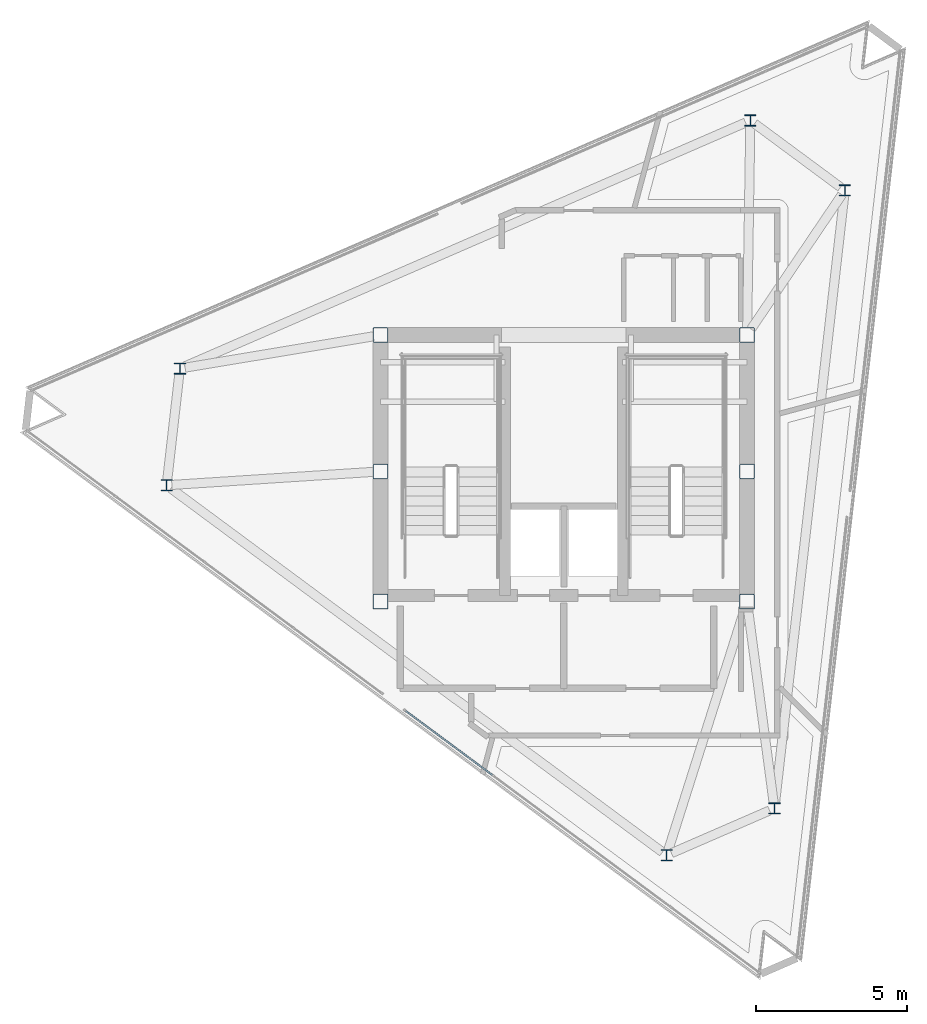
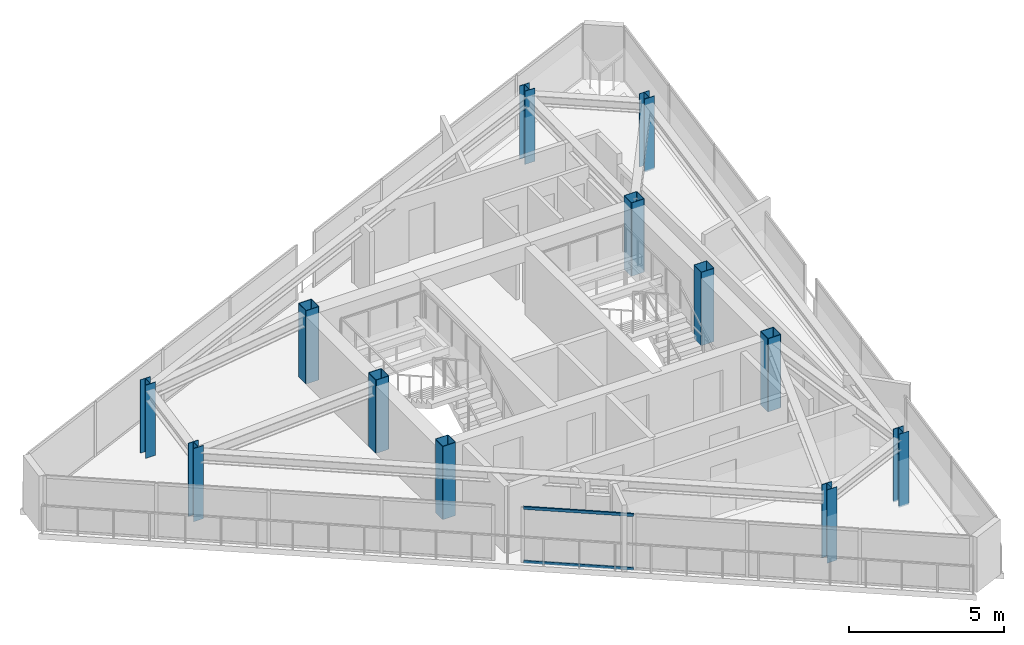
# One storey, part 1 of 9: 12 columns, 2 members, 1 element without a shape of its own.
"""IFC4 building model written with IfcOpenShell, lengths in metres."""

from ifc_helpers import new_model, si_unit, direction, frame, origin, origin_2d, place, context, subcontext, project, spatial, rectangle, hollow_rectangle, i_section, extrude, material, layer, layer_set, material_profile, profile_set, type_object, element, aggregate, save


model = new_model("IFC4")

# Units and contexts
model_context = context("Model", 3, precision=1e-05, world=origin(), true_north=direction((0.0, 1.0)))
body_context = subcontext(model_context, "Body", "Model", "MODEL_VIEW")
ifc_project = project(units=[si_unit("LENGTHUNIT", "METRE"), si_unit("AREAUNIT", "SQUARE_METRE"), si_unit("VOLUMEUNIT", "CUBIC_METRE"), si_unit("PLANEANGLEUNIT", "RADIAN"), si_unit("MASSUNIT", "GRAM", prefix="KILO")], contexts=[model_context])

# Site, building, storey
site_placement = place(None, origin())
site = spatial("IfcSite", under=ifc_project, at=site_placement, CompositionType="ELEMENT")
building_placement = place(site_placement, origin())
building = spatial("IfcBuilding", under=site, at=building_placement, Name="Rocaltana Carrier Exchange", CompositionType="ELEMENT")
storey_placement = place(building_placement, frame((0.0, 0.0, 243.360107421875)))
storey = spatial("IfcBuildingStorey", under=building, at=storey_placement, Name="L77", CompositionType="ELEMENT", Elevation=243.360107421875)

# Columns
ifc_material_1 = material(Name="Steel S460", Category="steel")
ifc_material_profile_1 = material_profile(ifc_material_1, hollow_rectangle(XDim=0.5, YDim=0.5, WallThickness=0.02001953125, InnerFilletRadius=0.02001953125, OuterFilletRadius=0.0400390625, at=origin_2d()), Name="HSS500X500X20")
ifc_profile_set_1 = profile_set([ifc_material_profile_1], Name="Steel S460")
column_type_1 = type_object("IfcColumnType", Name="Core Crown Column HSS500", PredefinedType="COLUMN", material=ifc_profile_set_1)
for number, where, z_axis, x_axis, name in (
    (1, (-6.050048828125, 4.5, 0.0), (0.0, 0.0, 1.0), (1.0, 0.0, 0.0), "L77 Core Mega-Column MC1"),
    (2, (6.050048828125, 4.5, 0.0), (0.0, 0.0, 1.0), (1.0, 0.0, 0.0), "L77 Core Mega-Column MC2"),
    (3, (-6.050048828125, 0.0, 0.0), (0.0, 0.0, 1.0), (1.0, 0.0, 0.0), "L77 Core Mega-Column MC3"),
    (4, (6.050048828125, 0.0, 0.0), (0.0, 0.0, 1.0), (1.0, 0.0, 0.0), "L77 Core Mega-Column MC4"),
    (5, (-6.050048828125, -4.300048828125, 0.0), (0.0, 0.0, 1.0), (1.0, 0.0, 0.0), "L77 Core Mega-Column MC5"),
    (6, (6.050048828125, -4.300048828125, 0.0), (0.0, 0.0, 1.0), (1.0, 0.0, 0.0), "L77 Core Mega-Column MC6"),
):
    element("IfcColumn", number, at=place(storey_placement, frame(where, z_axis=z_axis, x_axis=x_axis)), inside=storey, type_object=column_type_1, Name=name, PredefinedType="COLUMN", context=body_context, shape_type="SweptSolid", body=[
        extrude(hollow_rectangle(XDim=0.5, YDim=0.5, WallThickness=0.02001953125, InnerFilletRadius=0.02001953125, OuterFilletRadius=0.0400390625, at=origin_2d()), origin(), (0.0, 0.0, 1.0), 2.8798828125),
    ])
ifc_material_2 = material(Name="Steel S355", Category="steel")
ifc_material_profile_2 = material_profile(ifc_material_2, i_section(OverallWidth=0.37109375, OverallDepth=0.364013671875, WebThickness=0.01318359375, FlangeThickness=0.021728515625, FilletRadius=0.014892578125, at=origin_2d()), Name="W14X109")
ifc_profile_set_2 = profile_set([ifc_material_profile_2], Name="Steel S355")
column_type_2 = type_object("IfcColumnType", Name="Crown Column W14X109", PredefinedType="COLUMN", material=ifc_profile_set_2)
for number, where, z_axis, x_axis, name in (
    (7, (6.953125, -11.126708984375, 0.0), (0.0, 0.0, 1.0), (1.0, 0.0, 0.0), "L77 Crown Column CC01"),
    (8, (9.27783203125, 9.27734375, 0.0), (0.0, 0.0, 1.0), (1.0, 0.0, 0.0), "L77 Crown Column CC02"),
    (9, (6.159423828125, 11.5849609375, 0.0), (0.0, 0.0, 1.0), (1.0, 0.0, 0.0), "L77 Crown Column CC03"),
    (10, (-12.67333984375, 3.396240234375, 0.0), (0.0, 0.0, 1.0), (1.0, 0.0, 0.0), "L77 Crown Column CC04"),
    (11, (-13.112548828125, -0.458251953125, 0.0), (0.0, 0.0, 1.0), (1.0, 0.0, 0.0), "L77 Crown Column CC05"),
    (12, (3.3955078125, -12.673583984375, 0.0), (0.0, 0.0, 1.0), (1.0, 0.0, 0.0), "L77 Crown Column CC06"),
):
    element("IfcColumn", number, at=place(storey_placement, frame(where, z_axis=z_axis, x_axis=x_axis)), inside=storey, type_object=column_type_2, Name=name, PredefinedType="COLUMN", context=body_context, shape_type="SweptSolid", body=[
        extrude(i_section(OverallWidth=0.37109375, OverallDepth=0.364013671875, WebThickness=0.01318359375, FlangeThickness=0.021728515625, FilletRadius=0.014892578125, at=origin_2d()), origin(), (0.0, 0.0, 1.0), 2.8798828125),
    ])

# Curtain wall, members
ifc_material_3 = material(Name="Aluminium 6063-T6", Category="aluminium")
ifc_layer = layer(ifc_material_3, 0.110107421875)
ifc_layer_set = layer_set([ifc_layer], Name="Aluminium 6063-T6")
curtain_wall_type = type_object("IfcCurtainWallType", Name="Crown Lantern Faceted Curtain Wall CW-06", PredefinedType="NOTDEFINED", material=ifc_layer_set)
curtain_wall_placement = place(storey_placement, origin())
curtain_wall = element("IfcCurtainWall", 13, at=curtain_wall_placement, inside=storey, type_object=curtain_wall_type, Name="L77 CW-06 Run CW06-L77-F3S2", PredefinedType="NOTDEFINED")
ifc_material_4 = material(Name="Aluminium 6063-T6", Category="aluminium")
ifc_material_profile_3 = material_profile(ifc_material_4, rectangle(XDim=0.054931640625, YDim=0.110107421875, at=origin_2d()), Name="AL-55X110")
ifc_profile_set_3 = profile_set([ifc_material_profile_3], Name="Aluminium 6063-T6")
member_type = type_object("IfcMemberType", Name="CW-06 Transom AL-55X110", PredefinedType="USERDEFINED", material=ifc_profile_set_3)
member_1_placement = place(storey_placement, frame((-5.22216796875, -7.90625, 0.02734375), z_axis=(0.803867421072, -0.594808514851, 0.0), x_axis=(0.594808514851, 0.803867421072, 0.0)))
member_1 = element("IfcMember", 14, at=member_1_placement, type_object=member_type, Name="CW-06 transom 1.1", ObjectType="TRANSOM", PredefinedType="USERDEFINED", context=body_context, shape_type="SweptSolid", body=[
    extrude(rectangle(XDim=0.054931640625, YDim=0.110107421875, at=origin_2d()), origin(), (0.0, 0.0, 1.0), 3.567626953125),
])
member_2_placement = place(storey_placement, frame((-5.22216796875, -7.90625, 2.140380859375), z_axis=(0.803867421072, -0.594808514851, 0.0), x_axis=(0.594808514851, 0.803867421072, 0.0)))
member_2 = element("IfcMember", 15, at=member_2_placement, type_object=member_type, Name="CW-06 transom 1.2", ObjectType="TRANSOM", PredefinedType="USERDEFINED", context=body_context, shape_type="SweptSolid", body=[
    extrude(rectangle(XDim=0.054931640625, YDim=0.110107421875, at=origin_2d()), origin(), (0.0, 0.0, 1.0), 3.567626953125),
])
aggregate(curtain_wall, [member_1, member_2])

save(model, "model.ifc")
